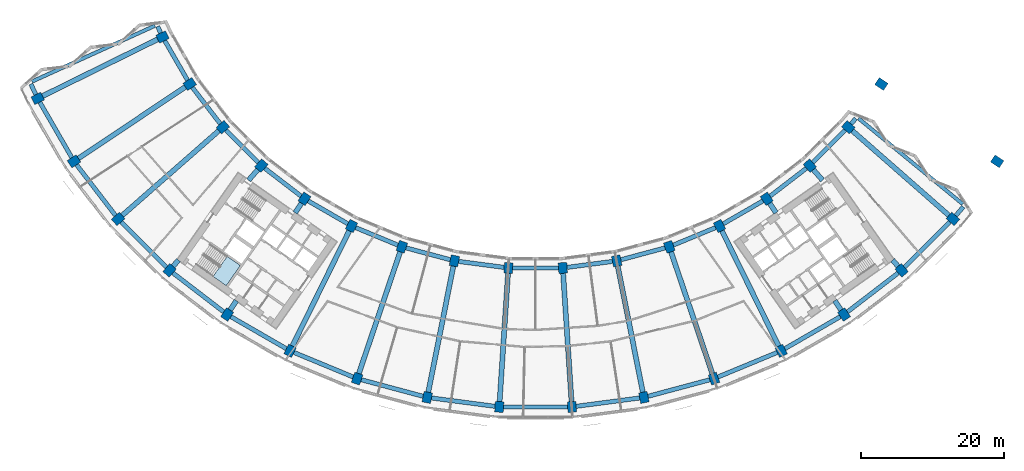
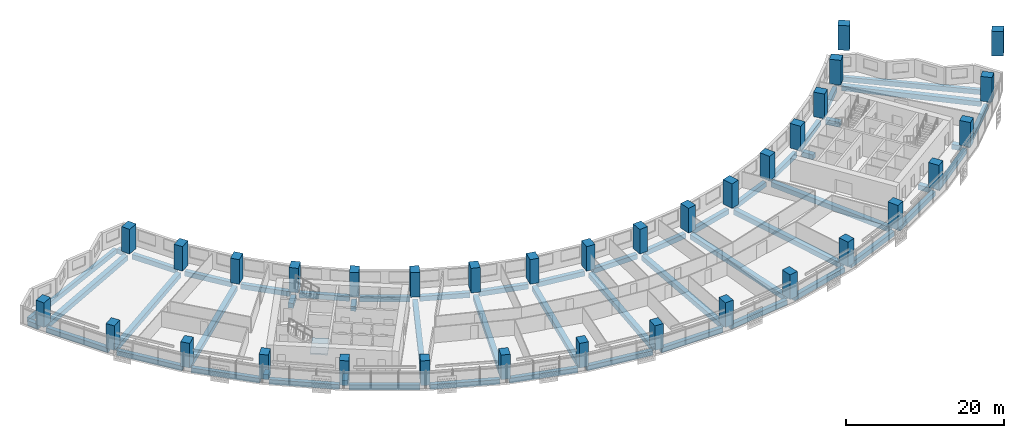
# One storey, part 1 of 29: 56 beams, 34 columns, 1 slab, 1 element without a shape of its own.
"""IFC4 building model written with IfcOpenShell, lengths in metres."""

from ifc_helpers import new_model, si_unit, direction, frame, origin, origin_2d, place, context, subcontext, project, spatial, polyline, rectangle, outline, extrude, material, layer, layer_set, material_profile, profile_set, type_object, element, aggregate, save


model = new_model("IFC4")

# Units and contexts
model_context = context("Model", 3, precision=1e-05, world=origin(), true_north=direction((0.0, 1.0)))
body_context = subcontext(model_context, "Body", "Model", "MODEL_VIEW")
ifc_project = project(units=[si_unit("LENGTHUNIT", "METRE"), si_unit("AREAUNIT", "SQUARE_METRE"), si_unit("VOLUMEUNIT", "CUBIC_METRE"), si_unit("PLANEANGLEUNIT", "RADIAN"), si_unit("MASSUNIT", "GRAM", prefix="KILO")], contexts=[model_context])

# Site, building, storey
site_placement = place(None, origin())
site = spatial("IfcSite", under=ifc_project, at=site_placement, CompositionType="ELEMENT")
building_placement = place(site_placement, origin())
building = spatial("IfcBuilding", under=site, at=building_placement, Name="Qamariyya Broadcast Tower", CompositionType="ELEMENT")
storey_placement = place(building_placement, frame((0.0, 0.0, 113.89990234375)))
storey = spatial("IfcBuildingStorey", under=building, at=storey_placement, Name="L25", CompositionType="ELEMENT", Elevation=113.89990234375)

# Columns
ifc_material_1 = material(Name="Concrete C70/85", Category="concrete")
ifc_material_profile_1 = material_profile(ifc_material_1, rectangle(XDim=1.199951171875, YDim=1.5, at=origin_2d()))
ifc_profile_set_1 = profile_set([ifc_material_profile_1], Name="Concrete C70/85")
column_type = type_object("IfcColumnType", Name="RC column 1200 x 1500 C70/85", PredefinedType="COLUMN", material=ifc_profile_set_1)
for number, where, z_axis, x_axis, name in (
    (1, (-52.242919921875, -25.763427734375, 0.0), (0.0, 0.0, 1.0), (0.442288690219, -0.896872741533, 0.0), "Column C7 L25 B-R02"),
    (2, (-69.73193359375, -34.387939453125, 0.0), (0.0, 0.0, 1.0), (0.442288690219, -0.896872741533, 0.0), "Column C7 L25 C-R02"),
    (3, (-48.43310546875, -32.362060546875, 0.0), (0.0, 0.0, 1.0), (0.55557023302, -0.831469612303, 0.0), "Column C7 L25 B-R03"),
    (4, (-64.646728515625, -43.195556640625, 0.0), (0.0, 0.0, 1.0), (0.55557023302, -0.831469612303, 0.0), "Column C7 L25 C-R03"),
    (5, (-43.794677734375, -38.406982421875, 0.0), (0.0, 0.0, 1.0), (0.6593458151, -0.751839807479, 0.0), "Column C7 L25 B-R04"),
    (6, (-58.45556640625, -51.26416015625, 0.0), (0.0, 0.0, 1.0), (0.6593458151, -0.751839807479, 0.0), "Column C7 L25 C-R04"),
    (7, (-38.406982421875, -43.794677734375, 0.0), (0.0, 0.0, 1.0), (0.751839807479, -0.6593458151, 0.0), "Column C7 L25 B-R05"),
    (8, (-51.26416015625, -58.45556640625, 0.0), (0.0, 0.0, 1.0), (0.751839807479, -0.6593458151, 0.0), "Column C7 L25 C-R05"),
    (9, (-32.362060546875, -48.43310546875, 0.0), (0.0, 0.0, 1.0), (0.831469612303, -0.55557023302, 0.0), "Column C7 L25 B-R06"),
    (10, (-43.195556640625, -64.646728515625, 0.0), (0.0, 0.0, 1.0), (0.831469612303, -0.55557023302, 0.0), "Column C7 L25 C-R06"),
    (11, (-25.763427734375, -52.242919921875, 0.0), (0.0, 0.0, 1.0), (0.896872741533, -0.442288690219, 0.0), "Column C7 L25 B-R07"),
    (12, (-34.387939453125, -69.73193359375, 0.0), (0.0, 0.0, 1.0), (0.896872741533, -0.442288690219, 0.0), "Column C7 L25 C-R07"),
    (13, (-18.723876953125, -55.15869140625, 0.0), (0.0, 0.0, 1.0), (0.946930129495, -0.321439465303, 0.0), "Column C7 L25 B-R08"),
    (14, (-24.991943359375, -73.623779296875, 0.0), (0.0, 0.0, 1.0), (0.946930129495, -0.321439465303, 0.0), "Column C7 L25 C-R08"),
    (15, (-11.364013671875, -57.130859375, 0.0), (0.0, 0.0, 1.0), (0.980785280403, -0.195090322016, 0.0), "Column C7 L25 B-R09"),
    (16, (-15.168212890625, -76.256103515625, 0.0), (0.0, 0.0, 1.0), (0.980785280403, -0.195090322016, 0.0), "Column C7 L25 C-R09"),
    (17, (-3.809814453125, -58.125244140625, 0.0), (0.0, 0.0, 1.0), (0.997858923239, -0.06540312923, 0.0), "Column C7 L25 B-R10"),
    (18, (-5.085205078125, -77.58349609375, 0.0), (0.0, 0.0, 1.0), (0.997858923239, -0.06540312923, 0.0), "Column C7 L25 C-R10"),
    (19, (3.809814453125, -58.125244140625, 0.0), (0.0, 0.0, 1.0), (0.997858923239, 0.06540312923, 0.0), "Column C7 L25 B-R11"),
    (20, (5.085205078125, -77.58349609375, 0.0), (0.0, 0.0, 1.0), (0.997858923239, 0.06540312923, 0.0), "Column C7 L25 C-R11"),
    (21, (11.364013671875, -57.130859375, 0.0), (0.0, 0.0, 1.0), (0.980785280403, 0.195090322016, 0.0), "Column C7 L25 B-R12"),
    (22, (15.168212890625, -76.256103515625, 0.0), (0.0, 0.0, 1.0), (0.980785280403, 0.195090322016, 0.0), "Column C7 L25 C-R12"),
    (23, (18.723876953125, -55.15869140625, 0.0), (0.0, 0.0, 1.0), (0.946930129495, 0.321439465303, 0.0), "Column C7 L25 B-R13"),
    (24, (24.991943359375, -73.623779296875, 0.0), (0.0, 0.0, 1.0), (0.946930129495, 0.321439465303, 0.0), "Column C7 L25 C-R13"),
    (25, (25.763427734375, -52.242919921875, 0.0), (0.0, 0.0, 1.0), (0.896872741533, 0.442288690219, 0.0), "Column C7 L25 B-R14"),
    (26, (34.387939453125, -69.73193359375, 0.0), (0.0, 0.0, 1.0), (0.896872741533, 0.442288690219, 0.0), "Column C7 L25 C-R14"),
    (27, (32.362060546875, -48.43310546875, 0.0), (0.0, 0.0, 1.0), (0.831469612303, 0.55557023302, 0.0), "Column C7 L25 B-R15"),
    (28, (43.195556640625, -64.646728515625, 0.0), (0.0, 0.0, 1.0), (0.831469612303, 0.55557023302, 0.0), "Column C7 L25 C-R15"),
    (29, (38.406982421875, -43.794677734375, 0.0), (0.0, 0.0, 1.0), (0.751839807479, 0.6593458151, 0.0), "Column C7 L25 B-R16"),
    (30, (51.26416015625, -58.45556640625, 0.0), (0.0, 0.0, 1.0), (0.751839807479, 0.6593458151, 0.0), "Column C7 L25 C-R16"),
    (31, (43.794677734375, -38.406982421875, 0.0), (0.0, 0.0, 1.0), (0.6593458151, 0.751839807479, 0.0), "Column C7 L25 B-R17"),
    (32, (58.45556640625, -51.26416015625, 0.0), (0.0, 0.0, 1.0), (0.6593458151, 0.751839807479, 0.0), "Column C7 L25 C-R17"),
    (33, (48.43310546875, -32.362060546875, 0.0), (0.0, 0.0, 1.0), (0.55557023302, 0.831469612303, 0.0), "Column C7 L25 B-R18"),
    (34, (64.646728515625, -43.195556640625, 0.0), (0.0, 0.0, 1.0), (0.55557023302, 0.831469612303, 0.0), "Column C7 L25 C-R18"),
):
    element("IfcColumn", number, at=place(storey_placement, frame(where, z_axis=z_axis, x_axis=x_axis)), inside=storey, type_object=column_type, Name=name, PredefinedType="COLUMN", context=body_context, shape_type="SweptSolid", body=[
        extrude(rectangle(XDim=1.199951171875, YDim=1.5, at=origin_2d()), origin(), (0.0, 0.0, 1.0), 3.800048828125),
    ])

# Beams
ifc_material_2 = material(Name="Concrete C50/60", Category="concrete")
ifc_material_profile_2 = material_profile(ifc_material_2, rectangle(XDim=0.60009765625, YDim=0.75, at=origin_2d()))
ifc_profile_set_2 = profile_set([ifc_material_profile_2], Name="Concrete C50/60")
beam_type_1 = type_object("IfcBeamType", Name="RC edge beam 600 x 750 C50/60", PredefinedType="SPANDREL", material=ifc_profile_set_2)
for number, where, z_axis, x_axis, name in (
    (35, (-51.942138671875, -26.283935546875, -0.6748046875), (0.49999360328, -0.866029096901, 0.0), (0.866029096901, 0.49999360328, 0.0), "Edge beam B15 L25 B R02-R03"),
    (36, (-48.067138671875, -32.839111328125, -0.6748046875), (0.608778135192, -0.793340520906, 0.0), (0.793340520906, 0.608778135192, 0.0), "Edge beam B15 L25 B R03-R04"),
):
    element("IfcBeam", number, at=place(storey_placement, frame(where, z_axis=z_axis, x_axis=x_axis)), inside=storey, type_object=beam_type_1, Name=name, PredefinedType="SPANDREL", context=body_context, shape_type="SweptSolid", body=[
        extrude(rectangle(XDim=0.60009765625, YDim=0.75, at=origin_2d()), origin(), (0.0, 0.0, 1.0), 6.4169921875),
    ])
beam_1_placement = place(storey_placement, frame((-43.369384765625, -38.83203125, -0.6748046875), z_axis=(0.707106781187, -0.707106781187, 0.0), x_axis=(0.707106781187, 0.707106781187, 0.0)))
element("IfcBeam", 37, at=beam_1_placement, inside=storey, type_object=beam_type_1, Name="Edge beam B15 L25 B R04-R05", PredefinedType="SPANDREL", context=body_context, shape_type="SweptSolid", body=[
    extrude(rectangle(XDim=0.60009765625, YDim=0.75, at=origin_2d()), origin(), (0.0, 0.0, 1.0), 6.416748046875),
])
for number, where, z_axis, x_axis, name in (
    (38, (-37.929931640625, -44.16064453125, -0.6748046875), (0.793340520906, -0.608778135192, 0.0), (0.608778135192, 0.793340520906, 0.0), "Edge beam B15 L25 B R05-R06"),
    (39, (-31.84130859375, -48.733642578125, -0.6748046875), (0.866029096901, -0.49999360328, 0.0), (0.49999360328, 0.866029096901, 0.0), "Edge beam B15 L25 B R06-R07"),
    (40, (-25.207763671875, -52.472900390625, -0.6748046875), (0.923884212686, -0.382672133229, 0.0), (0.382672133229, 0.923884212686, 0.0), "Edge beam B15 L25 B R07-R08"),
    (41, (-18.14306640625, -55.314208984375, -0.6748046875), (0.965922916603, -0.258829903956, 0.0), (0.258829903956, 0.965922916603, 0.0), "Edge beam B15 L25 B R08-R09"),
    (42, (-10.767822265625, -57.209228515625, -0.6748046875), (0.991443543958, -0.1305361986, 0.0), (0.1305361986, 0.991443543958, 0.0), "Edge beam B15 L25 B R09-R10"),
    (43, (-3.20849609375, -58.125244140625, -0.6748046875), (1.0, 0.0, 0.0), (0.0, 1.0, 0.0), "Edge beam B15 L25 B R10-R11"),
    (44, (4.40576171875, -58.046875, -0.6748046875), (0.991443543958, 0.1305361986, 0.0), (-0.1305361986, 0.991443543958, 0.0), "Edge beam B15 L25 B R11-R12"),
    (45, (11.94482421875, -56.97509765625, -0.6748046875), (0.965922916603, 0.258829903956, 0.0), (-0.258829903956, 0.965922916603, 0.0), "Edge beam B15 L25 B R12-R13"),
    (46, (19.279296875, -54.928466796875, -0.6748046875), (0.923884212686, 0.382672133229, 0.0), (-0.382672133229, 0.923884212686, 0.0), "Edge beam B15 L25 B R13-R14"),
    (47, (26.283935546875, -51.942138671875, -0.6748046875), (0.866029096901, 0.49999360328, 0.0), (-0.49999360328, 0.866029096901, 0.0), "Edge beam B15 L25 B R14-R15"),
    (48, (32.839111328125, -48.067138671875, -0.6748046875), (0.793340520906, 0.608778135192, 0.0), (-0.608778135192, 0.793340520906, 0.0), "Edge beam B15 L25 B R15-R16"),
):
    element("IfcBeam", number, at=place(storey_placement, frame(where, z_axis=z_axis, x_axis=x_axis)), inside=storey, type_object=beam_type_1, Name=name, PredefinedType="SPANDREL", context=body_context, shape_type="SweptSolid", body=[
        extrude(rectangle(XDim=0.60009765625, YDim=0.75, at=origin_2d()), origin(), (0.0, 0.0, 1.0), 6.4169921875),
    ])
beam_2_placement = place(storey_placement, frame((38.83203125, -43.369384765625, -0.6748046875), z_axis=(0.707106781187, 0.707106781187, 0.0), x_axis=(-0.707106781187, 0.707106781187, 0.0)))
element("IfcBeam", 49, at=beam_2_placement, inside=storey, type_object=beam_type_1, Name="Edge beam B15 L25 B R16-R17", PredefinedType="SPANDREL", context=body_context, shape_type="SweptSolid", body=[
    extrude(rectangle(XDim=0.60009765625, YDim=0.75, at=origin_2d()), origin(), (0.0, 0.0, 1.0), 6.416748046875),
])
beam_3_placement = place(storey_placement, frame((-69.43115234375, -34.90869140625, -0.6748046875), z_axis=(0.499989544228, -0.866031440343, 0.0), x_axis=(0.866031440343, 0.499989544228, 0.0)))
element("IfcBeam", 50, at=beam_3_placement, inside=storey, type_object=beam_type_1, Name="Edge beam B15 L25 C R02-R03", PredefinedType="SPANDREL", context=body_context, shape_type="SweptSolid", body=[
    extrude(rectangle(XDim=0.60009765625, YDim=0.75, at=origin_2d()), origin(), (0.0, 0.0, 1.0), 8.967529296875),
])
beam_4_placement = place(storey_placement, frame((-64.28076171875, -43.672607421875, -0.6748046875), z_axis=(0.608766985019, -0.793349076984, 0.0), x_axis=(0.793349076984, 0.608766985019, 0.0)))
element("IfcBeam", 51, at=beam_4_placement, inside=storey, type_object=beam_type_1, Name="Edge beam B15 L25 C R03-R04", PredefinedType="SPANDREL", context=body_context, shape_type="SweptSolid", body=[
    extrude(rectangle(XDim=0.60009765625, YDim=0.75, at=origin_2d()), origin(), (0.0, 0.0, 1.0), 8.9677734375),
])
beam_5_placement = place(storey_placement, frame((-58.0302734375, -51.689208984375, -0.6748046875), z_axis=(0.707106781187, -0.707106781187, 0.0), x_axis=(0.707106781187, 0.707106781187, 0.0)))
element("IfcBeam", 52, at=beam_5_placement, inside=storey, type_object=beam_type_1, Name="Edge beam B15 L25 C R04-R05", PredefinedType="SPANDREL", context=body_context, shape_type="SweptSolid", body=[
    extrude(rectangle(XDim=0.60009765625, YDim=0.75, at=origin_2d()), origin(), (0.0, 0.0, 1.0), 8.967529296875),
])
beam_6_placement = place(storey_placement, frame((-50.787109375, -58.821533203125, -0.6748046875), z_axis=(0.793349076984, -0.608766985019, 0.0), x_axis=(0.608766985019, 0.793349076984, 0.0)))
element("IfcBeam", 53, at=beam_6_placement, inside=storey, type_object=beam_type_1, Name="Edge beam B15 L25 C R05-R06", PredefinedType="SPANDREL", context=body_context, shape_type="SweptSolid", body=[
    extrude(rectangle(XDim=0.60009765625, YDim=0.75, at=origin_2d()), origin(), (0.0, 0.0, 1.0), 8.9677734375),
])
beam_7_placement = place(storey_placement, frame((-42.6748046875, -64.947509765625, -0.6748046875), z_axis=(0.866031440343, -0.499989544228, 0.0), x_axis=(0.499989544228, 0.866031440343, 0.0)))
element("IfcBeam", 54, at=beam_7_placement, inside=storey, type_object=beam_type_1, Name="Edge beam B15 L25 C R06-R07", PredefinedType="SPANDREL", context=body_context, shape_type="SweptSolid", body=[
    extrude(rectangle(XDim=0.60009765625, YDim=0.75, at=origin_2d()), origin(), (0.0, 0.0, 1.0), 8.967529296875),
])
beam_8_placement = place(storey_placement, frame((-33.83251953125, -69.9619140625, -0.6748046875), z_axis=(0.923877140182, -0.382689207907, 0.0), x_axis=(0.382689207907, 0.923877140182, 0.0)))
element("IfcBeam", 55, at=beam_8_placement, inside=storey, type_object=beam_type_1, Name="Edge beam B15 L25 C R07-R08", PredefinedType="SPANDREL", context=body_context, shape_type="SweptSolid", body=[
    extrude(rectangle(XDim=0.60009765625, YDim=0.75, at=origin_2d()), origin(), (0.0, 0.0, 1.0), 8.9677734375),
])
for number, where, z_axis, x_axis, name in (
    (56, (-24.4111328125, -73.779541015625, -0.6748046875), (0.965931525183, -0.258797775603, 0.0), (0.258797775603, 0.965931525183, 0.0), "Edge beam B15 L25 C R08-R09"),
    (57, (-14.572021484375, -76.33447265625, -0.6748046875), (0.991442708618, -0.130542542983, 0.0), (0.130542542983, 0.991442708618, 0.0), "Edge beam B15 L25 C R09-R10"),
):
    element("IfcBeam", number, at=place(storey_placement, frame(where, z_axis=z_axis, x_axis=x_axis)), inside=storey, type_object=beam_type_1, Name=name, PredefinedType="SPANDREL", context=body_context, shape_type="SweptSolid", body=[
        extrude(rectangle(XDim=0.60009765625, YDim=0.75, at=origin_2d()), origin(), (0.0, 0.0, 1.0), 8.967529296875),
    ])
beam_9_placement = place(storey_placement, frame((-4.48388671875, -77.58349609375, -0.6748046875), z_axis=(1.0, 0.0, 0.0), x_axis=(0.0, 1.0, 0.0)))
element("IfcBeam", 58, at=beam_9_placement, inside=storey, type_object=beam_type_1, Name="Edge beam B15 L25 C R10-R11", PredefinedType="SPANDREL", context=body_context, shape_type="SweptSolid", body=[
    extrude(rectangle(XDim=0.60009765625, YDim=0.75, at=origin_2d()), origin(), (0.0, 0.0, 1.0), 8.9677734375),
])
for number, where, z_axis, x_axis, name in (
    (59, (5.68115234375, -77.505126953125, -0.6748046875), (0.991442708618, 0.130542542983, 0.0), (-0.130542542983, 0.991442708618, 0.0), "Edge beam B15 L25 C R11-R12"),
    (60, (15.7490234375, -76.100341796875, -0.6748046875), (0.965931525183, 0.258797775603, 0.0), (-0.258797775603, 0.965931525183, 0.0), "Edge beam B15 L25 C R12-R13"),
):
    element("IfcBeam", number, at=place(storey_placement, frame(where, z_axis=z_axis, x_axis=x_axis)), inside=storey, type_object=beam_type_1, Name=name, PredefinedType="SPANDREL", context=body_context, shape_type="SweptSolid", body=[
        extrude(rectangle(XDim=0.60009765625, YDim=0.75, at=origin_2d()), origin(), (0.0, 0.0, 1.0), 8.967529296875),
    ])
beam_10_placement = place(storey_placement, frame((25.54736328125, -73.393798828125, -0.6748046875), z_axis=(0.923877140182, 0.382689207907, 0.0), x_axis=(-0.382689207907, 0.923877140182, 0.0)))
element("IfcBeam", 61, at=beam_10_placement, inside=storey, type_object=beam_type_1, Name="Edge beam B15 L25 C R13-R14", PredefinedType="SPANDREL", context=body_context, shape_type="SweptSolid", body=[
    extrude(rectangle(XDim=0.60009765625, YDim=0.75, at=origin_2d()), origin(), (0.0, 0.0, 1.0), 8.9677734375),
])
beam_11_placement = place(storey_placement, frame((34.90869140625, -69.43115234375, -0.6748046875), z_axis=(0.866031440343, 0.499989544228, 0.0), x_axis=(-0.499989544228, 0.866031440343, 0.0)))
element("IfcBeam", 62, at=beam_11_placement, inside=storey, type_object=beam_type_1, Name="Edge beam B15 L25 C R14-R15", PredefinedType="SPANDREL", context=body_context, shape_type="SweptSolid", body=[
    extrude(rectangle(XDim=0.60009765625, YDim=0.75, at=origin_2d()), origin(), (0.0, 0.0, 1.0), 8.967529296875),
])
beam_12_placement = place(storey_placement, frame((43.672607421875, -64.28076171875, -0.6748046875), z_axis=(0.793349076984, 0.608766985019, 0.0), x_axis=(-0.608766985019, 0.793349076984, 0.0)))
element("IfcBeam", 63, at=beam_12_placement, inside=storey, type_object=beam_type_1, Name="Edge beam B15 L25 C R15-R16", PredefinedType="SPANDREL", context=body_context, shape_type="SweptSolid", body=[
    extrude(rectangle(XDim=0.60009765625, YDim=0.75, at=origin_2d()), origin(), (0.0, 0.0, 1.0), 8.9677734375),
])
beam_13_placement = place(storey_placement, frame((51.689208984375, -58.0302734375, -0.6748046875), z_axis=(0.707106781187, 0.707106781187, 0.0), x_axis=(-0.707106781187, 0.707106781187, 0.0)))
element("IfcBeam", 64, at=beam_13_placement, inside=storey, type_object=beam_type_1, Name="Edge beam B15 L25 C R16-R17", PredefinedType="SPANDREL", context=body_context, shape_type="SweptSolid", body=[
    extrude(rectangle(XDim=0.60009765625, YDim=0.75, at=origin_2d()), origin(), (0.0, 0.0, 1.0), 8.967529296875),
])
ifc_material_profile_3 = material_profile(ifc_material_2, rectangle(XDim=0.60009765625, YDim=0.75, at=origin_2d()))
ifc_profile_set_3 = profile_set([ifc_material_profile_3], Name="Concrete C50/60")
beam_type_2 = type_object("IfcBeamType", Name="RC horn beam 600 x 750 C50/60", PredefinedType="BEAM", material=ifc_profile_set_3)
beam_14_placement = place(storey_placement, frame((-52.49951171875, -25.220947265625, -0.6748046875), z_axis=(-0.42801378478, 0.903772205834, 0.0), x_axis=(-0.903772205834, -0.42801378478, 0.0)))
element("IfcBeam", 65, at=beam_14_placement, inside=storey, type_object=beam_type_2, Name="Horn beam B14 L25 W B-R02", PredefinedType="BEAM", context=body_context, shape_type="SweptSolid", body=[
    extrude(rectangle(XDim=0.60009765625, YDim=0.75, at=origin_2d()), origin(), (0.0, 0.0, 1.0), 1.012451171875),
])
beam_15_placement = place(storey_placement, frame((-69.988525390625, -33.845458984375, -0.6748046875), z_axis=(-0.427945178604, 0.903804693565, 0.0), x_axis=(-0.903804693565, -0.427945178604, 0.0)))
element("IfcBeam", 66, at=beam_15_placement, inside=storey, type_object=beam_type_2, Name="Horn beam B14 L25 W C-R02", PredefinedType="BEAM", context=body_context, shape_type="SweptSolid", body=[
    extrude(rectangle(XDim=0.60009765625, YDim=0.75, at=origin_2d()), origin(), (0.0, 0.0, 1.0), 1.635498046875),
])
beam_16_placement = place(storey_placement, frame((44.18310546875, -37.949462890625, -0.6748046875), z_axis=(0.647249329612, 0.762278364718, 0.0), x_axis=(-0.762278364718, 0.647249329612, 0.0)))
element("IfcBeam", 67, at=beam_16_placement, inside=storey, type_object=beam_type_2, Name="Horn beam B14 L25 E B-R17", PredefinedType="BEAM", context=body_context, shape_type="SweptSolid", body=[
    extrude(rectangle(XDim=0.60009765625, YDim=0.75, at=origin_2d()), origin(), (0.0, 0.0, 1.0), 1.012451171875),
])
beam_17_placement = place(storey_placement, frame((58.843994140625, -50.806640625, -0.6748046875), z_axis=(0.647219365955, 0.762303805797, 0.0), x_axis=(-0.762303805797, 0.647219365955, 0.0)))
element("IfcBeam", 68, at=beam_17_placement, inside=storey, type_object=beam_type_2, Name="Horn beam B14 L25 E C-R17", PredefinedType="BEAM", context=body_context, shape_type="SweptSolid", body=[
    extrude(rectangle(XDim=0.60009765625, YDim=0.75, at=origin_2d()), origin(), (0.0, 0.0, 1.0), 1.635498046875),
])
ifc_material_profile_4 = material_profile(ifc_material_2, rectangle(XDim=0.5, YDim=0.75, at=origin_2d()))
ifc_profile_set_4 = profile_set([ifc_material_profile_4], Name="Concrete C50/60")
beam_type_3 = type_object("IfcBeamType", Name="RC horn cap beam 500 x 750 C50/60", PredefinedType="BEAM", material=ifc_profile_set_4)
for number, where, z_axis, x_axis, name in (
    (69, (-53.31298828125, -24.2041015625, -0.6748046875), (-0.910555721103, -0.413386355323, 0.0), (0.413386355323, -0.910555721103, 0.0), "Horn cap beam B17 L25 W B-C"),
    (70, (45.23193359375, -37.177734375, -0.6748046875), (0.77253320347, -0.634974369196, 0.0), (0.634974369196, 0.77253320347, 0.0), "Horn cap beam B17 L25 E B-C"),
):
    element("IfcBeam", number, at=place(storey_placement, frame(where, z_axis=z_axis, x_axis=x_axis)), inside=storey, type_object=beam_type_3, Name=name, PredefinedType="BEAM", context=body_context, shape_type="SweptSolid", body=[
        extrude(rectangle(XDim=0.5, YDim=0.75, at=origin_2d()), origin(), (0.0, 0.0, 1.0), 18.89990234375),
    ])
ifc_material_profile_5 = material_profile(ifc_material_2, rectangle(XDim=0.699951171875, YDim=0.75, at=origin_2d()))
ifc_profile_set_5 = profile_set([ifc_material_profile_5], Name="Concrete C50/60")
beam_type_4 = type_object("IfcBeamType", Name="RC radial beam 700 x 750 C50/60", PredefinedType="BEAM", material=ifc_profile_set_5)
beam_18_placement = place(storey_placement, frame((-52.91552734375, -26.094970703125, -0.6748046875), z_axis=(-0.896871386501, -0.442291437941, 0.0), x_axis=(0.442291437941, -0.896871386501, 0.0)))
element("IfcBeam", 71, at=beam_18_placement, inside=storey, type_object=beam_type_4, Name="Radial beam B13 L25 R02 B-C", PredefinedType="BEAM", context=body_context, shape_type="SweptSolid", body=[
    extrude(rectangle(XDim=0.699951171875, YDim=0.75, at=origin_2d()), origin(), (0.0, 0.0, 1.0), 17.999755859375),
])
beam_19_placement = place(storey_placement, frame((-49.056640625, -32.778564453125, -0.6748046875), z_axis=(-0.831471836778, -0.555566903843, 0.0), x_axis=(0.555566903843, -0.831471836778, 0.0)))
element("IfcBeam", 72, at=beam_19_placement, inside=storey, type_object=beam_type_4, Name="Radial beam B13 L25 R03 B-C", PredefinedType="BEAM", context=body_context, shape_type="SweptSolid", body=[
    extrude(rectangle(XDim=0.699951171875, YDim=0.75, at=origin_2d()), origin(), (0.0, 0.0, 1.0), 18.0),
])
beam_20_placement = place(storey_placement, frame((-44.358642578125, -38.9013671875, -0.6748046875), z_axis=(-0.751837671483, -0.659348250729, 0.0), x_axis=(0.659348250729, -0.751837671483, 0.0)))
element("IfcBeam", 73, at=beam_20_placement, inside=storey, type_object=beam_type_4, Name="Radial beam B13 L25 R04 B-C", PredefinedType="BEAM", context=body_context, shape_type="SweptSolid", body=[
    extrude(rectangle(XDim=0.699951171875, YDim=0.75, at=origin_2d()), origin(), (0.0, 0.0, 1.0), 17.999755859375),
])
beam_21_placement = place(storey_placement, frame((-38.9013671875, -44.358642578125, -0.6748046875), z_axis=(-0.659376140982, -0.751813211312, 0.0), x_axis=(0.751813211312, -0.659376140982, 0.0)))
element("IfcBeam", 74, at=beam_21_placement, inside=storey, type_object=beam_type_4, Name="Radial beam B13 L25 R05 B-C", PredefinedType="BEAM", context=body_context, shape_type="SweptSolid", body=[
    extrude(rectangle(XDim=0.699951171875, YDim=0.75, at=origin_2d()), origin(), (0.0, 0.0, 1.0), 1.96240234375),
])
beam_22_placement = place(storey_placement, frame((-50.011962890625, -57.027587890625, -0.6748046875), z_axis=(-0.659271387296, -0.751905072395, 0.0), x_axis=(0.751905072395, -0.659271387296, 0.0)))
element("IfcBeam", 75, at=beam_22_placement, inside=storey, type_object=beam_type_4, Name="Radial beam B13 L25 R05 B-C", PredefinedType="BEAM", context=body_context, shape_type="SweptSolid", body=[
    extrude(rectangle(XDim=0.699951171875, YDim=0.75, at=origin_2d()), origin(), (0.0, 0.0, 1.0), 1.149169921875),
])
beam_23_placement = place(storey_placement, frame((-32.778564453125, -49.056640625, -0.6748046875), z_axis=(-0.555537373717, -0.831491567248, 0.0), x_axis=(0.831491567248, -0.555537373717, 0.0)))
element("IfcBeam", 76, at=beam_23_placement, inside=storey, type_object=beam_type_4, Name="Radial beam B13 L25 R06 B-C", PredefinedType="BEAM", context=body_context, shape_type="SweptSolid", body=[
    extrude(rectangle(XDim=0.699951171875, YDim=0.75, at=origin_2d()), origin(), (0.0, 0.0, 1.0), 1.614501953125),
])
beam_24_placement = place(storey_placement, frame((-41.89990234375, -62.707763671875, -0.6748046875), z_axis=(-0.555554602959, -0.831480055762, 0.0), x_axis=(0.831480055762, -0.555554602959, 0.0)))
element("IfcBeam", 77, at=beam_24_placement, inside=storey, type_object=beam_type_4, Name="Radial beam B13 L25 R06 B-C", PredefinedType="BEAM", context=body_context, shape_type="SweptSolid", body=[
    extrude(rectangle(XDim=0.699951171875, YDim=0.75, at=origin_2d()), origin(), (0.0, 0.0, 1.0), 1.58203125),
])
beam_25_placement = place(storey_placement, frame((-26.094970703125, -52.91552734375, -0.6748046875), z_axis=(-0.442291437941, -0.896871386501, 0.0), x_axis=(0.896871386501, -0.442291437941, 0.0)))
element("IfcBeam", 78, at=beam_25_placement, inside=storey, type_object=beam_type_4, Name="Radial beam B13 L25 R07 B-C", PredefinedType="BEAM", context=body_context, shape_type="SweptSolid", body=[
    extrude(rectangle(XDim=0.699951171875, YDim=0.75, at=origin_2d()), origin(), (0.0, 0.0, 1.0), 17.999755859375),
])
beam_26_placement = place(storey_placement, frame((-18.96484375, -55.868896484375, -0.6748046875), z_axis=(-0.321439476461, -0.946930125707, 0.0), x_axis=(0.946930125707, -0.321439476461, 0.0)))
element("IfcBeam", 79, at=beam_26_placement, inside=storey, type_object=beam_type_4, Name="Radial beam B13 L25 R08 B-C", PredefinedType="BEAM", context=body_context, shape_type="SweptSolid", body=[
    extrude(rectangle(XDim=0.699951171875, YDim=0.75, at=origin_2d()), origin(), (0.0, 0.0, 1.0), 18.0),
])
beam_27_placement = place(storey_placement, frame((-11.51025390625, -57.8662109375, -0.6748046875), z_axis=(-0.195093569287, -0.980784634475, 0.0), x_axis=(0.980784634475, -0.195093569287, 0.0)))
element("IfcBeam", 80, at=beam_27_placement, inside=storey, type_object=beam_type_4, Name="Radial beam B13 L25 R09 B-C", PredefinedType="BEAM", context=body_context, shape_type="SweptSolid", body=[
    extrude(rectangle(XDim=0.699951171875, YDim=0.75, at=origin_2d()), origin(), (0.0, 0.0, 1.0), 18.000244140625),
])
for number, where, z_axis, x_axis, name in (
    (81, (-3.85888671875, -58.873779296875, -0.6748046875), (-0.065402689504, -0.99785895206, 0.0), (0.99785895206, -0.065402689504, 0.0), "Radial beam B13 L25 R10 B-C"),
    (82, (3.85888671875, -58.873779296875, -0.6748046875), (0.065402689504, -0.99785895206, 0.0), (0.99785895206, 0.065402689504, 0.0), "Radial beam B13 L25 R11 B-C"),
):
    element("IfcBeam", number, at=place(storey_placement, frame(where, z_axis=z_axis, x_axis=x_axis)), inside=storey, type_object=beam_type_4, Name=name, PredefinedType="BEAM", context=body_context, shape_type="SweptSolid", body=[
        extrude(rectangle(XDim=0.699951171875, YDim=0.75, at=origin_2d()), origin(), (0.0, 0.0, 1.0), 18.0),
    ])
beam_28_placement = place(storey_placement, frame((11.51025390625, -57.8662109375, -0.6748046875), z_axis=(0.195093569287, -0.980784634475, 0.0), x_axis=(0.980784634475, 0.195093569287, 0.0)))
element("IfcBeam", 83, at=beam_28_placement, inside=storey, type_object=beam_type_4, Name="Radial beam B13 L25 R12 B-C", PredefinedType="BEAM", context=body_context, shape_type="SweptSolid", body=[
    extrude(rectangle(XDim=0.699951171875, YDim=0.75, at=origin_2d()), origin(), (0.0, 0.0, 1.0), 18.000244140625),
])
beam_29_placement = place(storey_placement, frame((18.96484375, -55.868896484375, -0.6748046875), z_axis=(0.321439476461, -0.946930125707, 0.0), x_axis=(0.946930125707, 0.321439476461, 0.0)))
element("IfcBeam", 84, at=beam_29_placement, inside=storey, type_object=beam_type_4, Name="Radial beam B13 L25 R13 B-C", PredefinedType="BEAM", context=body_context, shape_type="SweptSolid", body=[
    extrude(rectangle(XDim=0.699951171875, YDim=0.75, at=origin_2d()), origin(), (0.0, 0.0, 1.0), 18.0),
])
beam_30_placement = place(storey_placement, frame((26.094970703125, -52.91552734375, -0.6748046875), z_axis=(0.442291437941, -0.896871386501, 0.0), x_axis=(0.896871386501, 0.442291437941, 0.0)))
element("IfcBeam", 85, at=beam_30_placement, inside=storey, type_object=beam_type_4, Name="Radial beam B13 L25 R14 B-C", PredefinedType="BEAM", context=body_context, shape_type="SweptSolid", body=[
    extrude(rectangle(XDim=0.699951171875, YDim=0.75, at=origin_2d()), origin(), (0.0, 0.0, 1.0), 17.999755859375),
])
beam_31_placement = place(storey_placement, frame((32.778564453125, -49.056640625, -0.6748046875), z_axis=(0.555537373717, -0.831491567248, 0.0), x_axis=(0.831491567248, 0.555537373717, 0.0)))
element("IfcBeam", 86, at=beam_31_placement, inside=storey, type_object=beam_type_4, Name="Radial beam B13 L25 R15 B-C", PredefinedType="BEAM", context=body_context, shape_type="SweptSolid", body=[
    extrude(rectangle(XDim=0.699951171875, YDim=0.75, at=origin_2d()), origin(), (0.0, 0.0, 1.0), 1.614501953125),
])
beam_32_placement = place(storey_placement, frame((41.89990234375, -62.707763671875, -0.6748046875), z_axis=(0.555554602959, -0.831480055762, 0.0), x_axis=(0.831480055762, 0.555554602959, 0.0)))
element("IfcBeam", 87, at=beam_32_placement, inside=storey, type_object=beam_type_4, Name="Radial beam B13 L25 R15 B-C", PredefinedType="BEAM", context=body_context, shape_type="SweptSolid", body=[
    extrude(rectangle(XDim=0.699951171875, YDim=0.75, at=origin_2d()), origin(), (0.0, 0.0, 1.0), 1.58203125),
])
beam_33_placement = place(storey_placement, frame((38.9013671875, -44.358642578125, -0.6748046875), z_axis=(0.659376140982, -0.751813211312, 0.0), x_axis=(0.751813211312, 0.659376140982, 0.0)))
element("IfcBeam", 88, at=beam_33_placement, inside=storey, type_object=beam_type_4, Name="Radial beam B13 L25 R16 B-C", PredefinedType="BEAM", context=body_context, shape_type="SweptSolid", body=[
    extrude(rectangle(XDim=0.699951171875, YDim=0.75, at=origin_2d()), origin(), (0.0, 0.0, 1.0), 1.96240234375),
])
beam_34_placement = place(storey_placement, frame((50.011962890625, -57.027587890625, -0.6748046875), z_axis=(0.659271387296, -0.751905072395, 0.0), x_axis=(0.751905072395, 0.659271387296, 0.0)))
element("IfcBeam", 89, at=beam_34_placement, inside=storey, type_object=beam_type_4, Name="Radial beam B13 L25 R16 B-C", PredefinedType="BEAM", context=body_context, shape_type="SweptSolid", body=[
    extrude(rectangle(XDim=0.699951171875, YDim=0.75, at=origin_2d()), origin(), (0.0, 0.0, 1.0), 1.149169921875),
])
beam_35_placement = place(storey_placement, frame((44.358642578125, -38.9013671875, -0.6748046875), z_axis=(0.751837671483, -0.659348250729, 0.0), x_axis=(0.659348250729, 0.751837671483, 0.0)))
element("IfcBeam", 90, at=beam_35_placement, inside=storey, type_object=beam_type_4, Name="Radial beam B13 L25 R17 B-C", PredefinedType="BEAM", context=body_context, shape_type="SweptSolid", body=[
    extrude(rectangle(XDim=0.699951171875, YDim=0.75, at=origin_2d()), origin(), (0.0, 0.0, 1.0), 17.999755859375),
])

# Stair, slab
stair_type = type_object("IfcStairType", Name="Exit stair 22 risers of 173 mm", PredefinedType="HALF_TURN_STAIR", material=ifc_material_2)
stair_placement = place(storey_placement, origin())
stair = element("IfcStair", 91, at=stair_placement, inside=storey, type_object=stair_type, Name="L25 Stair W1", PredefinedType="HALF_TURN_STAIR")
ifc_layer = layer(ifc_material_2, 0.199951171875)
ifc_layer_set = layer_set([ifc_layer], Name="Stair landing")
slab_type = type_object("IfcSlabType", Name="Stair landing", PredefinedType="LANDING", material=ifc_layer_set)
slab_placement = place(storey_placement, frame((0.0, 0.0, 1.7001953125)))
slab = element("IfcSlab", 92, at=slab_placement, type_object=slab_type, Name="ST-W1 landing 1", PredefinedType="LANDING", context=body_context, shape_type="SweptSolid", body=[
    extrude(outline(polyline([(-45.169677734375, -59.319580078125), (-43.3271484375, -60.609619140625), (-41.348388671875, -57.783447265625), (-43.19091796875, -56.493408203125), (-45.169677734375, -59.319580078125)])), origin(), (0.0, 0.0, 1.0), 0.199951171875),
])
aggregate(stair, [slab])

save(model, "model.ifc")
